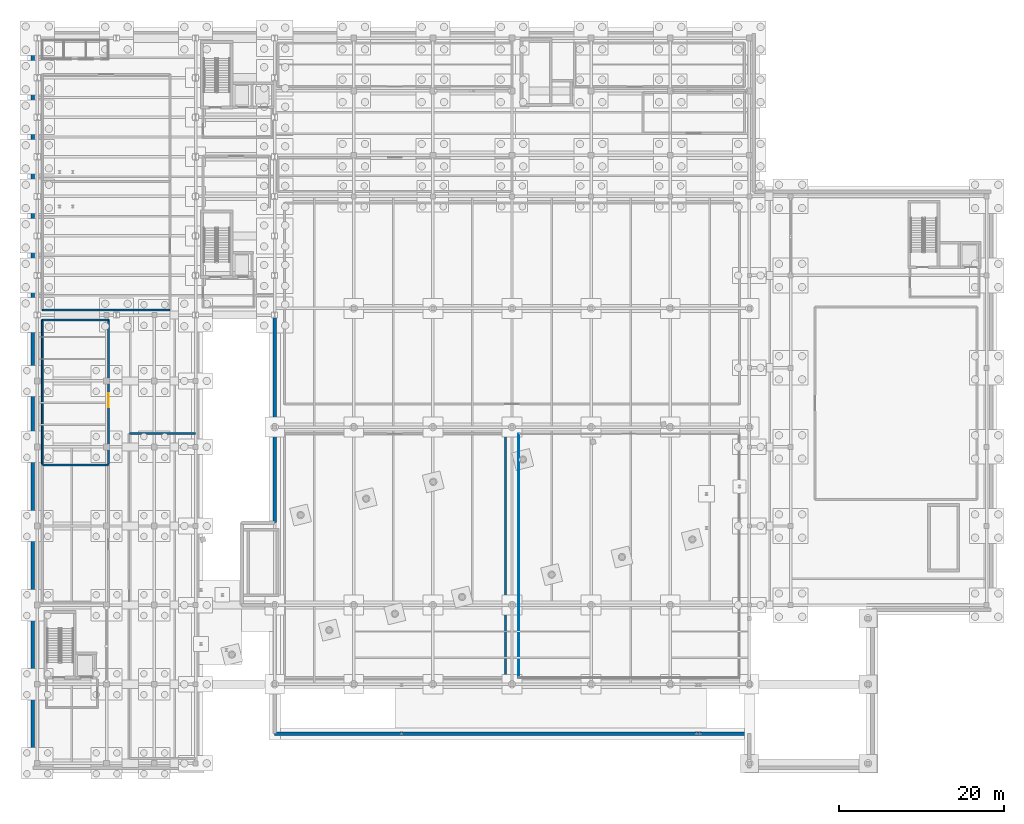
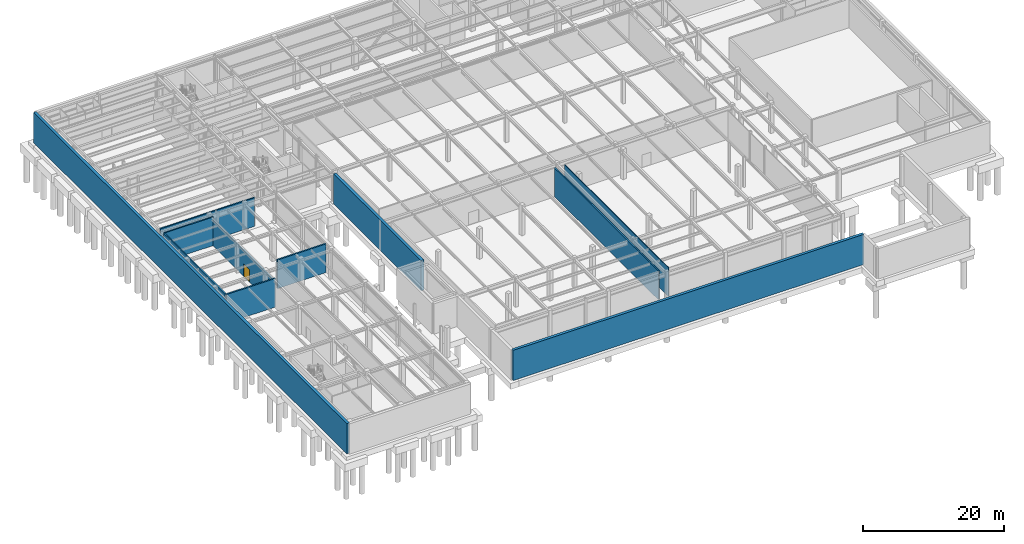
# One storey, part 23 of 33: 11 walls, 1 door, 1 opening.
"""IFC4 building model written with IfcOpenShell, lengths in metres."""

from ifc_helpers import new_model, si_unit, direction, frame, frame_2d, origin, place, context, subcontext, project, spatial, rectangle, extrude, material, layer, layer_set, type_object, element, fill, save


model = new_model("IFC4")

# Units and contexts
model_context = context("Model", 3, precision=1e-05, world=origin(), true_north=direction((0.0, 1.0)))
body_context = subcontext(model_context, "Body", "Model", "MODEL_VIEW")
ifc_project = project(units=[si_unit("LENGTHUNIT", "METRE"), si_unit("AREAUNIT", "SQUARE_METRE"), si_unit("VOLUMEUNIT", "CUBIC_METRE"), si_unit("PLANEANGLEUNIT", "RADIAN"), si_unit("MASSUNIT", "GRAM", prefix="KILO")], contexts=[model_context])

# Site, building, storey
site_placement = place(None, origin())
site = spatial("IfcSite", under=ifc_project, at=site_placement, CompositionType="ELEMENT")
building_placement = place(site_placement, origin())
building = spatial("IfcBuilding", under=site, at=building_placement, Name="Nordkorset Police Headquarters", CompositionType="ELEMENT")
storey_placement = place(building_placement, frame((0.0, 0.0, -9.800048828125)))
storey = spatial("IfcBuildingStorey", under=building, at=storey_placement, Name="B02", CompositionType="ELEMENT", Elevation=-9.800048828125)

# Wall
ifc_material_1 = material(Name="Gypsum board", Category="gypsum")
ifc_layer_1 = layer(ifc_material_1, 0.219970703125, Name="Gypsum board")
ifc_layer_set_1 = layer_set([ifc_layer_1], Name="Gypsum board")
wall_type_1 = type_object("IfcWallType", Name="Wall_Comp_220", PredefinedType="PARTITIONING", material=ifc_layer_set_1)
wall_1_placement = place(storey_placement, frame((0.60009765625, 83.800048828125, 0.0), z_axis=(0.0, 0.0, 1.0), x_axis=(1.0, 0.0, 0.0)))
element("IfcWall", 1, at=wall_1_placement, inside=storey, type_object=wall_type_1, Name="Interior Partition Wall Sprinkler Water Tank Room", PredefinedType="PARTITIONING", context=body_context, shape_type="SweptSolid", body=[
    extrude(rectangle(XDim=15.5, YDim=0.219970703125, at=frame_2d((7.75, 0.0))), origin(), (0.0, 0.0, 1.0), 4.969970703125),
])

# Wall, opening, door
wall_2_placement = place(storey_placement, frame((8.639892578125, 65.1201171875, 0.0), z_axis=(0.0, 0.0, 1.0), x_axis=(0.0, 1.0, 0.0)))
wall_2 = element("IfcWall", 2, at=wall_2_placement, inside=storey, type_object=wall_type_1, Name="Interior Partition Wall Specimen Cold Storage Room", PredefinedType="PARTITIONING", context=body_context, shape_type="SweptSolid", body=[
    extrude(rectangle(XDim=17.47998046875, YDim=0.219970703125, at=frame_2d((8.739990234375, 0.0))), origin(), (0.0, 0.0, 1.0), 4.510009765625),
])
opening_placement = place(wall_2_placement, frame((6.89990234375, 0.0, 0.0)))
opening = element("IfcOpeningElement", 3, at=opening_placement, cuts=wall_2, Name="Opening DR-15", PredefinedType="OPENING", context=body_context, shape_type="SweptSolid", body=[
    extrude(rectangle(XDim=1.679931640625, YDim=2.199951171875, at=frame_2d((0.83984375, 1.10009765625))), frame((0.0, 0.1201171875, 0.0), z_axis=(0.0, -1.0, 0.0), x_axis=(1.0, 0.0, 0.0)), (0.0, 0.0, 1.0), 0.239990234375),
])
ifc_material_2 = material(Name="Steel S355J2", Category="steel")
door_type = type_object("IfcDoorType", Name="Door_PlantDouble_1680x2200", OperationType="DOUBLE_DOOR_SINGLE_SWING", PredefinedType="DOOR", material=ifc_material_2)
door_placement = place(opening_placement, frame((1.679931640625, 0.0, 0.0), z_axis=(0.0, 0.0, 1.0), x_axis=(-1.0, 0.0, 0.0)))
door = element("IfcDoor", 4, at=door_placement, inside=storey, type_object=door_type, Name="Interior Door Specimen Cold Storage Room", OperationType="DOUBLE_DOOR_SINGLE_SWING", OverallHeight=2.199951171875, OverallWidth=1.679931640625, PredefinedType="DOOR", context=body_context, shape_type="SweptSolid", body=[
    extrude(rectangle(XDim=1.679931640625, YDim=2.199951171875, at=frame_2d((0.83984375, 1.10009765625))), frame((0.0, 0.02490234375, 0.0), z_axis=(0.0, -1.0, 0.0), x_axis=(1.0, 0.0, 0.0)), (0.0, 0.0, 1.0), 0.050048828125),
])
fill(opening, door)

# Walls
wall_3_placement = place(storey_placement, frame((8.639892578125, 82.60009765625, 0.0), z_axis=(0.0, 0.0, 1.0), x_axis=(-1.0, 0.0, 0.0)))
element("IfcWall", 5, at=wall_3_placement, inside=storey, type_object=wall_type_1, Name="Interior Partition Wall Specimen Cold Storage Room", PredefinedType="PARTITIONING", context=body_context, shape_type="SweptSolid", body=[
    extrude(rectangle(XDim=8.039794921875, YDim=0.219970703125, at=frame_2d((4.02001953125, 0.0))), origin(), (0.0, 0.0, 1.0), 4.969970703125),
])
wall_4_placement = place(storey_placement, frame((0.60009765625, 82.60009765625, 0.0), z_axis=(0.0, 0.0, 1.0), x_axis=(0.0, -1.0, 0.0)))
element("IfcWall", 6, at=wall_4_placement, inside=storey, type_object=wall_type_1, Name="Interior Partition Wall Specimen Cold Storage Room", PredefinedType="PARTITIONING", context=body_context, shape_type="SweptSolid", body=[
    extrude(rectangle(XDim=17.47998046875, YDim=0.219970703125, at=frame_2d((8.739990234375, 0.0))), origin(), (0.0, 0.0, 1.0), 4.969970703125),
])
wall_5_placement = place(storey_placement, frame((56.800048828125, 39.199951171875, 0.0), z_axis=(0.0, 0.0, 1.0), x_axis=(0.0, 1.0, 0.0)))
element("IfcWall", 7, at=wall_5_placement, inside=storey, type_object=wall_type_1, Name="Interior Partition Wall Basement Air Handling Plant Room", PredefinedType="PARTITIONING", context=body_context, shape_type="SweptSolid", body=[
    extrude(rectangle(XDim=29.60009765625, YDim=0.219970703125, at=frame_2d((14.800048828125, 0.0))), origin(), (0.0, 0.0, 1.0), 4.969970703125),
])
ifc_material_3 = material(Name="Gypsum board", Category="gypsum")
ifc_layer_2 = layer(ifc_material_3, 0.1201171875, Name="Gypsum board")
ifc_layer_set_2 = layer_set([ifc_layer_2], Name="Gypsum board")
wall_type_2 = type_object("IfcWallType", Name="Wall_Part_120", PredefinedType="PARTITIONING", material=ifc_layer_set_2)
wall_6_placement = place(storey_placement, frame((58.39990234375, 68.800048828125, 0.0), z_axis=(0.0, 0.0, 1.0), x_axis=(0.0, -1.0, 0.0)))
element("IfcWall", 8, at=wall_6_placement, inside=storey, type_object=wall_type_2, Name="Interior Partition Wall Civil Emergency Logistics Reserve", PredefinedType="PARTITIONING", context=body_context, shape_type="SweptSolid", body=[
    extrude(rectangle(XDim=29.60009765625, YDim=0.1201171875, at=frame_2d((14.800048828125, 0.0))), origin(), (0.0, 0.0, 1.0), 4.969970703125),
])
ifc_material_4 = material(Name="Concrete C40/50", Category="concrete")
ifc_layer_3 = layer(ifc_material_4, 0.449951171875, Name="Concrete C40/50")
ifc_layer_set_3 = layer_set([ifc_layer_3], Name="Concrete C40/50")
wall_type_3 = type_object("IfcWallType", Name="Wall_Retaining_450", PredefinedType="USERDEFINED", material=ifc_layer_set_3)
wall_7_placement = place(storey_placement, frame((-0.550048828125, 28.25, 0.0), z_axis=(0.0, 0.0, 1.0), x_axis=(0.0, 1.0, 0.0)))
element("IfcWall", 9, at=wall_7_placement, inside=storey, type_object=wall_type_3, Name="Basement Perimeter Retaining Wall B02 W-W1", ObjectType="RETAINING WALL", PredefinedType="USERDEFINED", context=body_context, shape_type="SweptSolid", body=[
    extrude(rectangle(XDim=89.10009765625, YDim=0.449951171875, at=frame_2d((44.550048828125, 0.0))), origin(), (0.0, 0.0, 1.0), 5.25),
])
wall_8_placement = place(storey_placement, frame((28.800048828125, 58.0, 0.0), z_axis=(0.0, 0.0, 1.0), x_axis=(0.0, 1.0, 0.0)))
element("IfcWall", 10, at=wall_8_placement, inside=storey, type_object=wall_type_3, Name="Basement Perimeter Retaining Wall B02 W-S2F", ObjectType="RETAINING WALL", PredefinedType="USERDEFINED", context=body_context, shape_type="SweptSolid", body=[
    extrude(rectangle(XDim=24.875, YDim=0.449951171875, at=frame_2d((12.4375, 0.0))), origin(), (0.0, 0.0, 1.0), 5.25),
])
wall_9_placement = place(storey_placement, frame((28.800048828125, 32.39990234375, 0.0), z_axis=(0.0, 0.0, 1.0), x_axis=(1.0, 0.0, 0.0)))
element("IfcWall", 11, at=wall_9_placement, inside=storey, type_object=wall_type_3, Name="Basement Perimeter Retaining Wall B02 W-S3", ObjectType="RETAINING WALL", PredefinedType="USERDEFINED", context=body_context, shape_type="SweptSolid", body=[
    extrude(rectangle(XDim=57.599853515625, YDim=0.449951171875, at=frame_2d((28.7998046875, 0.0))), origin(), (0.0, 0.0, 1.0), 5.25),
])
ifc_material_5 = material(Name="Concrete C35/45", Category="concrete")
ifc_layer_4 = layer(ifc_material_5, 0.25, Name="Concrete C35/45")
ifc_layer_set_4 = layer_set([ifc_layer_4], Name="Concrete C35/45")
wall_type_4 = type_object("IfcWallType", Name="Wall_VaultRC_250", PredefinedType="SOLIDWALL", material=ifc_layer_set_4)
wall_10_placement = place(storey_placement, frame((8.639892578125, 65.0, 0.0), z_axis=(0.0, 0.0, 1.0), x_axis=(-1.0, 0.0, 0.0)))
element("IfcWall", 12, at=wall_10_placement, inside=storey, type_object=wall_type_4, Name="Interior Partition Wall Armoury Vault", PredefinedType="SOLIDWALL", context=body_context, shape_type="SweptSolid", body=[
    extrude(rectangle(XDim=8.039794921875, YDim=0.25, at=frame_2d((4.02001953125, 0.0))), origin(), (0.0, 0.0, 1.0), 4.969970703125),
])
wall_11_placement = place(storey_placement, frame((19.179931640625, 68.800048828125, 0.0), z_axis=(0.0, 0.0, 1.0), x_axis=(-1.0, 0.0, 0.0)))
element("IfcWall", 13, at=wall_11_placement, inside=storey, type_object=wall_type_4, Name="Interior Partition Wall High-Value Seized Evidence Vault", PredefinedType="SOLIDWALL", context=body_context, shape_type="SweptSolid", body=[
    extrude(rectangle(XDim=8.02001953125, YDim=0.25, at=frame_2d((4.010009765625, 0.0))), origin(), (0.0, 0.0, 1.0), 4.969970703125),
])

save(model, "model.ifc")
